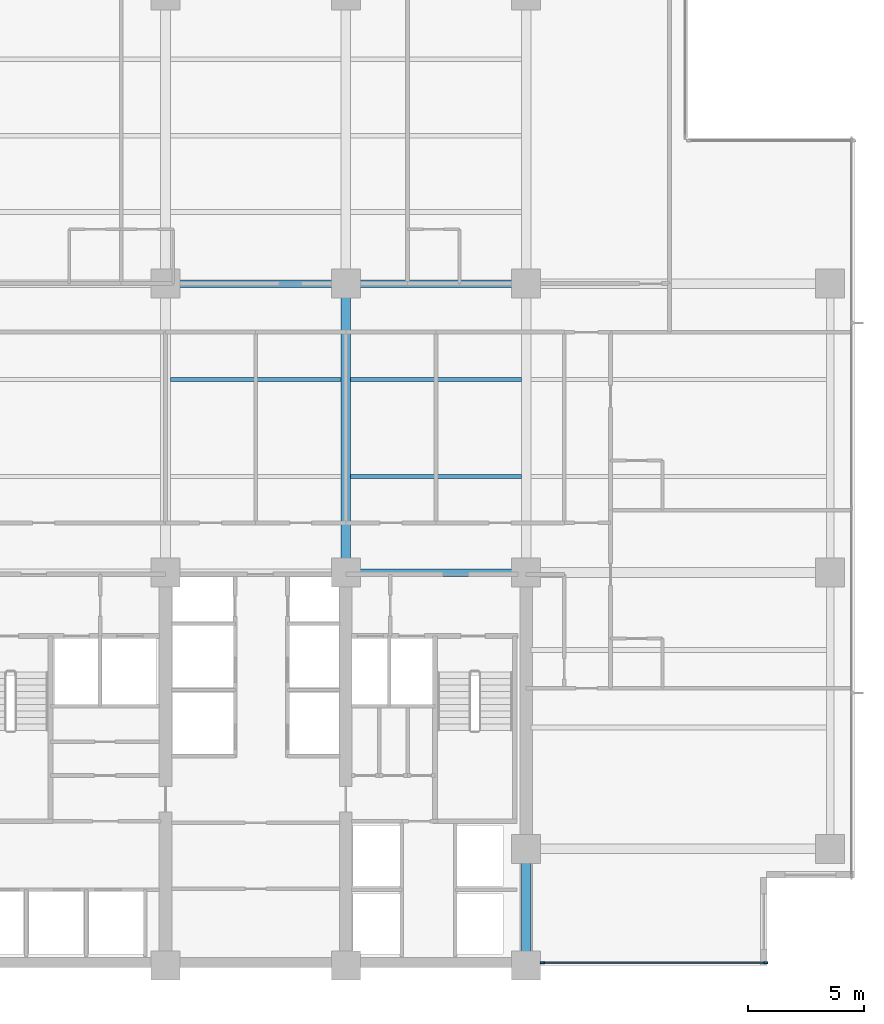
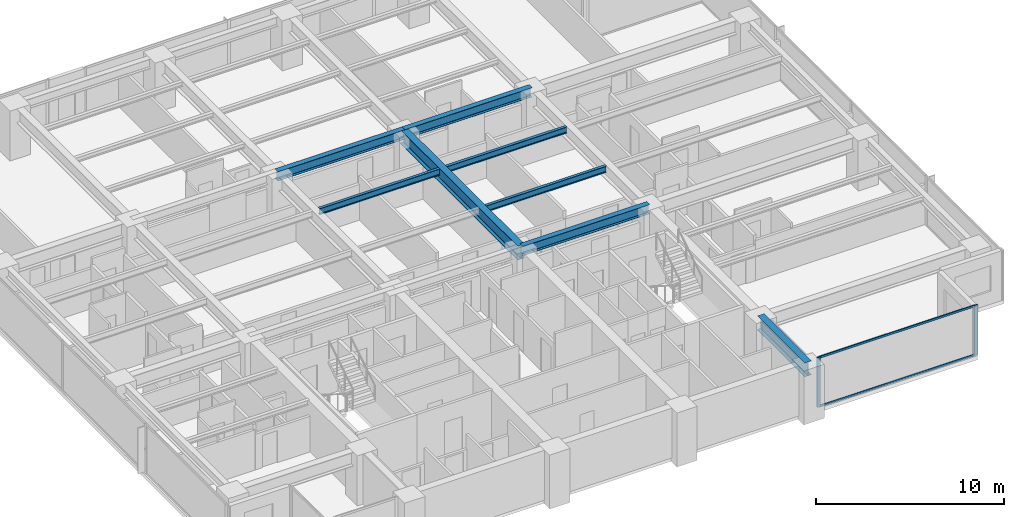
# One storey, part 3 of 17: 8 beams, 4 members, 1 element without a shape of its own.
"""IFC4 building model written with IfcOpenShell, lengths in metres."""

import ifcopenshell
import ifcopenshell.guid

model = None  # the IFC model being written
_history = None  # IfcOwnerHistory: only IFC2X3 demands one
_inside = {}  # id of a spatial element -> (the spatial element, [elements in it])
_under = {}  # id of a project, library or spatial element -> (it, [spatial elements below it])
_declared = {}  # id of a project -> (the project, [libraries it declares])
_typed = {}  # id of a type object -> (the type object, [elements of that type])
_made_of = {}  # id of a material, layer set ... -> (it, [elements and type objects made of it])


def new_model(schema):
    """Start an empty IFC model of exactly this schema.

    Asked for "IFC4X3", IfcOpenShell would pick the latest addendum, in which some entities
    have other attributes; the version numbers below select the first issue.
    IFC2X3 requires an IfcOwnerHistory on every rooted entity: one is made here for all.
    """
    global model, _history
    if schema == "IFC4X3":
        model = ifcopenshell.file(schema_version=(4, 3, 0, 0))
    else:
        model = ifcopenshell.file(schema=schema)
    _inside.clear()
    _under.clear()
    _declared.clear()
    _typed.clear()
    _made_of.clear()
    _history = None
    if model.schema == "IFC2X3":
        org = make("IfcOrganization", Name="unknown")
        user = make(
            "IfcPersonAndOrganization",
            ThePerson=make("IfcPerson", FamilyName="unknown"),
            TheOrganization=org,
        )
        app = make(
            "IfcApplication",
            ApplicationDeveloper=org,
            Version="unknown",
            ApplicationFullName="unknown",
            ApplicationIdentifier="unknown",
        )
        _history = make(
            "IfcOwnerHistory",
            OwningUser=user,
            OwningApplication=app,
            ChangeAction="ADDED",
            CreationDate=0,
        )
    return model


def make(cls, **values):
    """One entity of the class cls with the attributes given. An attribute that is None is left unset."""
    return model.create_entity(
        cls, **{name: value for name, value in values.items() if value is not None}
    )


def rooted(cls, **values):
    """An entity with a GlobalId (a new one), such as an element, a storey or a relation."""
    return make(cls, GlobalId=ifcopenshell.guid.new(), OwnerHistory=_history, **values)


def si_unit(unit_type, name, prefix=None):
    """IfcSIUnit, for example si_unit("LENGTHUNIT", "METRE", prefix="MILLI")."""
    return make("IfcSIUnit", UnitType=unit_type, Prefix=prefix, Name=name)


def assignment(units):
    """IfcUnitAssignment: the units of a project."""
    return None if units is None else make("IfcUnitAssignment", Units=units)


def point(xyz):
    """IfcCartesianPoint."""
    return None if xyz is None else make("IfcCartesianPoint", Coordinates=xyz)


def direction(xyz):
    """IfcDirection."""
    return None if xyz is None else make("IfcDirection", DirectionRatios=xyz)


def frame(location, z_axis=None, x_axis=None):
    """IfcAxis2Placement3D, a coordinate frame: its origin and axes. An axis left out is left unset."""
    return make(
        "IfcAxis2Placement3D",
        Location=point(location),
        Axis=direction(z_axis),
        RefDirection=direction(x_axis),
    )


def frame_2d(location, x_axis=None):
    """IfcAxis2Placement2D, a coordinate frame in the plane: its origin and x axis."""
    return make(
        "IfcAxis2Placement2D", Location=point(location), RefDirection=direction(x_axis)
    )


def origin():
    """The frame at (0, 0, 0) with its axes left unset."""
    return frame((0.0, 0.0, 0.0))


def origin_2d():
    """The frame at (0, 0) in the plane with its x axis left unset."""
    return frame_2d((0.0, 0.0))


def place(relative_to, where):
    """IfcLocalPlacement: puts the frame where relative to a parent placement (None: the world)."""
    return make(
        "IfcLocalPlacement", PlacementRelTo=relative_to, RelativePlacement=where
    )


def context(
    kind, dimensions, precision=None, world=None, true_north=None, identifier=None
):
    """IfcGeometricRepresentationContext, for example the 3D "Model" context."""
    return make(
        "IfcGeometricRepresentationContext",
        ContextIdentifier=identifier,
        ContextType=kind,
        CoordinateSpaceDimension=dimensions,
        Precision=precision,
        WorldCoordinateSystem=world,
        TrueNorth=true_north,
    )


def subcontext(parent, identifier, kind, view, scale=None):
    """IfcGeometricRepresentationSubContext, for example "Body" below "Model"."""
    return make(
        "IfcGeometricRepresentationSubContext",
        ContextIdentifier=identifier,
        ContextType=kind,
        ParentContext=parent,
        TargetScale=scale,
        TargetView=view,
    )


def project(units=None, contexts=None):
    """IfcProject with its units and contexts."""
    return rooted(
        "IfcProject",
        Name="project",
        RepresentationContexts=contexts,
        UnitsInContext=assignment(units),
    )


def spatial(cls, under=None, at=None, **own):
    """A site, building, storey or space (cls), placed at a placement, below another one or the project."""
    s = rooted(cls, ObjectPlacement=at, **own)
    if under is not None:
        _under.setdefault(under.id(), (under, []))[1].append(s)
    return s


def profile(cls, at=None, kind="AREA", **sizes):
    """A parametric profile (cls). Its sizes go by their IFC names, for example OverallWidth=200.0."""
    return make(cls, ProfileType=kind, Position=at, **sizes)


def rectangle(**sizes):
    """IfcRectangleProfileDef."""
    return profile("IfcRectangleProfileDef", **sizes)


def i_section(**sizes):
    """IfcIShapeProfileDef."""
    return profile("IfcIShapeProfileDef", **sizes)


def extrude(swept, where, along, depth):
    """IfcExtrudedAreaSolid: the profile swept, set in the frame where, extruded along a direction by depth."""
    return make(
        "IfcExtrudedAreaSolid",
        SweptArea=swept,
        Position=where,
        ExtrudedDirection=direction(along),
        Depth=depth,
    )


def shape(context_of_items, identifier, shape_type, items):
    """IfcShapeRepresentation: the items that make up one representation, for example the "Body"."""
    return make(
        "IfcShapeRepresentation",
        ContextOfItems=context_of_items,
        RepresentationIdentifier=identifier,
        RepresentationType=shape_type,
        Items=items,
    )


def material(Name=None, Category=None):
    """IfcMaterial."""
    return make("IfcMaterial", Name=Name, Category=Category)


def layer(
    of_material, thickness, ventilated=None, Name=None, Category=None, Priority=None
):
    """IfcMaterialLayer: one layer of a wall or slab, of a material (None: an air gap)."""
    return make(
        "IfcMaterialLayer",
        Material=of_material,
        LayerThickness=thickness,
        IsVentilated=ventilated,
        Name=Name,
        Category=Category,
        Priority=Priority,
    )


def layer_set(layers, Name=None):
    """IfcMaterialLayerSet."""
    return make("IfcMaterialLayerSet", MaterialLayers=layers, LayerSetName=Name)


def material_profile(
    of_material, cross_section, Name=None, Category=None, Priority=None
):
    """IfcMaterialProfile: a cross section and its material."""
    return make(
        "IfcMaterialProfile",
        Name=Name,
        Material=of_material,
        Profile=cross_section,
        Priority=Priority,
        Category=Category,
    )


def profile_set(profiles, Name=None, composite=None):
    """IfcMaterialProfileSet."""
    return make(
        "IfcMaterialProfileSet",
        Name=Name,
        MaterialProfiles=profiles,
        CompositeProfile=composite,
    )


def made_of(thing, what):
    """Note that an element or type object is made of a material, layer set ...; save() writes the relation."""
    if what is not None:
        _made_of.setdefault(what.id(), (what, []))[1].append(thing)
    return thing


def type_object(cls, material=None, **own):
    """A type object (cls), such as IfcWallType, which elements share."""
    return made_of(rooted(cls, **own), material)


def element(
    cls,
    number,
    at=None,
    inside=None,
    cuts=None,
    type_object=None,
    material=None,
    context=None,
    identifier="Body",
    shape_type=None,
    held_by="IfcProductDefinitionShape",
    body=None,
    shapes=None,
    **own,
):
    """One element of the class cls, such as IfcWall. Its Tag is "e" and its number.

    at: its placement. inside: the storey or other place that contains it. cuts: it is an
    opening in that element (IfcRelVoidsElement). A single representation is given by context,
    identifier, shape_type and body (its items); several are given by shapes. held_by: the class
    of the entity that holds the representations. save() writes the other relations.
    """
    e = rooted(cls, Tag="e%d" % number, ObjectPlacement=at, **own)
    if body is not None:
        shapes = [shape(context, identifier, shape_type, body)]
    if shapes is not None:
        e.Representation = make(held_by, Representations=shapes)
    if inside is not None:
        _inside.setdefault(inside.id(), (inside, []))[1].append(e)
    if cuts is not None:
        rooted(
            "IfcRelVoidsElement", RelatingBuildingElement=cuts, RelatedOpeningElement=e
        )
    if type_object is not None:
        _typed.setdefault(type_object.id(), (type_object, []))[1].append(e)
    return made_of(e, material)


def aggregate(whole, parts):
    """IfcRelAggregates: a whole, such as a stair, and the parts it consists of."""
    return rooted("IfcRelAggregates", RelatingObject=whole, RelatedObjects=parts)


def save(model, path):
    """Write the relations noted so far, then the file.

    IfcRelAggregates (storeys below a building ...), IfcRelContainedInSpatialStructure (elements
    in a storey), IfcRelDefinesByType, IfcRelAssociatesMaterial and IfcRelDeclares: one each for
    every whole, place, type object, material and project.
    """
    for whole, parts in _under.values():
        aggregate(whole, parts)
    for where, things in _inside.values():
        rooted(
            "IfcRelContainedInSpatialStructure",
            RelatedElements=things,
            RelatingStructure=where,
        )
    for kind, things in _typed.values():
        rooted("IfcRelDefinesByType", RelatedObjects=things, RelatingType=kind)
    for what, things in _made_of.values():
        rooted("IfcRelAssociatesMaterial", RelatedObjects=things, RelatingMaterial=what)
    for by, libraries in _declared.values():
        rooted("IfcRelDeclares", RelatingContext=by, RelatedDefinitions=libraries)
    model.write(path)


model = new_model("IFC4")

# Units and contexts
model_context = context("Model", 3, precision=1e-05, world=origin(), true_north=direction((0.0, 1.0)))
body_context = subcontext(model_context, "Body", "Model", "MODEL_VIEW")
ifc_project = project(units=[si_unit("LENGTHUNIT", "METRE"), si_unit("AREAUNIT", "SQUARE_METRE"), si_unit("VOLUMEUNIT", "CUBIC_METRE"), si_unit("PLANEANGLEUNIT", "RADIAN"), si_unit("MASSUNIT", "GRAM", prefix="KILO")], contexts=[model_context])

# Site, building, storey
site_placement = place(None, origin())
site = spatial("IfcSite", under=ifc_project, at=site_placement, CompositionType="ELEMENT")
building_placement = place(site_placement, origin())
building = spatial("IfcBuilding", under=site, at=building_placement, Name="Qalmaran Belvedere Hotel", CompositionType="ELEMENT")
storey_placement = place(building_placement, frame((0.0, 0.0, 119.699951171875)))
storey = spatial("IfcBuildingStorey", under=building, at=storey_placement, Name="L30", CompositionType="ELEMENT", Elevation=119.699951171875)

# Beams
ifc_material_1 = material(Name="Steel S355JR", Category="steel")
ifc_material_profile_1 = material_profile(ifc_material_1, i_section(OverallWidth=0.41796875, OverallDepth=0.912109375, WebThickness=0.019287109375, FlangeThickness=0.031982421875, FilletRadius=0.02392578125, at=origin_2d()), Name="W920X342")
ifc_profile_set_1 = profile_set([ifc_material_profile_1], Name="Steel S355JR")
beam_type_1 = type_object("IfcBeamType", Name="BM-PG2-W920X342", PredefinedType="USERDEFINED", material=ifc_profile_set_1)
beam_1_placement = place(storey_placement, frame((37.0, 20.5, 2.783935546875), z_axis=(0.0, 1.0, 0.0), x_axis=(-1.0, 0.0, 0.0)))
element("IfcBeam", 1, at=beam_1_placement, inside=storey, type_object=beam_type_1, Name="L30 Mid-Plate N-S Girder 18", ObjectType="GIRDER", PredefinedType="USERDEFINED", context=body_context, shape_type="SweptSolid", body=[
    extrude(i_section(OverallWidth=0.41796875, OverallDepth=0.912109375, WebThickness=0.019287109375, FlangeThickness=0.031982421875, FilletRadius=0.02392578125, at=origin_2d()), origin(), (0.0, 0.0, 1.0), 12.5),
])
beam_2_placement = place(storey_placement, frame((44.800048828125, 3.5, 2.783935546875), z_axis=(0.0, 1.0, 0.0), x_axis=(-1.0, 0.0, 0.0)))
element("IfcBeam", 2, at=beam_2_placement, inside=storey, type_object=beam_type_1, Name="L30 East Core Edge Girder A", ObjectType="GIRDER", PredefinedType="USERDEFINED", context=body_context, shape_type="SweptSolid", body=[
    extrude(i_section(OverallWidth=0.41796875, OverallDepth=0.912109375, WebThickness=0.019287109375, FlangeThickness=0.031982421875, FilletRadius=0.02392578125, at=origin_2d()), origin(), (0.0, 0.0, 1.0), 5.050048828125),
])
ifc_material_profile_2 = material_profile(ifc_material_1, i_section(OverallWidth=0.177978515625, OverallDepth=0.406982421875, WebThickness=0.0078125, FlangeThickness=0.0126953125, FilletRadius=0.014892578125, at=origin_2d()), Name="W410X60")
ifc_profile_set_2 = profile_set([ifc_material_profile_2], Name="Steel S355JR")
beam_type_2 = type_object("IfcBeamType", Name="BM-SB2-W410X60", PredefinedType="BEAM", material=ifc_profile_set_2)
for number, where, z_axis, x_axis, name in (
    (3, (37.20703125, 24.64990234375, 3.03662109375), (1.0, 0.0, 0.0), (0.0, 1.0, 0.0), "L30 Secondary Floor Beam 031"),
    (4, (29.406982421875, 28.85009765625, 3.03662109375), (1.0, 0.0, 0.0), (0.0, 1.0, 0.0), "L30 Secondary Floor Beam 035"),
    (5, (37.20703125, 28.85009765625, 3.03662109375), (1.0, 0.0, 0.0), (0.0, 1.0, 0.0), "L30 Secondary Floor Beam 036"),
):
    element("IfcBeam", number, at=place(storey_placement, frame(where, z_axis=z_axis, x_axis=x_axis)), inside=storey, type_object=beam_type_2, Name=name, PredefinedType="BEAM", context=body_context, shape_type="SweptSolid", body=[
        extrude(i_section(OverallWidth=0.177978515625, OverallDepth=0.406982421875, WebThickness=0.0078125, FlangeThickness=0.0126953125, FilletRadius=0.014892578125, at=origin_2d()), origin(), (0.0, 0.0, 1.0), 7.385986328125),
    ])
ifc_material_profile_3 = material_profile(ifc_material_1, i_section(OverallWidth=0.323974609375, OverallDepth=0.611083984375, WebThickness=0.0126953125, FlangeThickness=0.01904296875, FilletRadius=0.02001953125, at=origin_2d()), Name="W610X155")
ifc_profile_set_3 = profile_set([ifc_material_profile_3], Name="Steel S355JR")
beam_type_3 = type_object("IfcBeamType", Name="BM-Z2-W610X155", PredefinedType="USERDEFINED", material=ifc_profile_set_3)
for number, where, z_axis, x_axis, name in (
    (6, (37.0, 20.5, 2.9345703125), (1.0, 0.0, 0.0), (0.0, 1.0, 0.0), "L30 Interior E-W Girder 10"),
    (7, (29.199951171875, 33.0, 2.9345703125), (1.0, 0.0, 0.0), (0.0, 1.0, 0.0), "L30 Interior E-W Girder 12"),
    (8, (37.0, 33.0, 2.9345703125), (1.0, 0.0, 0.0), (0.0, 1.0, 0.0), "L30 Interior E-W Girder 13"),
):
    element("IfcBeam", number, at=place(storey_placement, frame(where, z_axis=z_axis, x_axis=x_axis)), inside=storey, type_object=beam_type_3, Name=name, ObjectType="GIRDER", PredefinedType="USERDEFINED", context=body_context, shape_type="SweptSolid", body=[
        extrude(i_section(OverallWidth=0.323974609375, OverallDepth=0.611083984375, WebThickness=0.0126953125, FlangeThickness=0.01904296875, FilletRadius=0.02001953125, at=origin_2d()), origin(), (0.0, 0.0, 1.0), 7.800048828125),
    ])

# Curtain wall, members
ifc_material_2 = material(Name="Anodised Bronze Aluminium", Category="aluminium")
ifc_layer = layer(ifc_material_2, 0.199951171875, Name="Anodised Bronze Aluminium")
ifc_layer_set = layer_set([ifc_layer], Name="Anodised Bronze Aluminium")
curtain_wall_type = type_object("IfcCurtainWallType", Name="CW3-TOWER-LOWMID", PredefinedType="NOTDEFINED", material=ifc_layer_set)
curtain_wall_placement = place(storey_placement, origin())
curtain_wall = element("IfcCurtainWall", 9, at=curtain_wall_placement, inside=storey, type_object=curtain_wall_type, Name="L30 Curtain Wall CW3", PredefinedType="NOTDEFINED")
ifc_material_profile_4 = material_profile(ifc_material_2, rectangle(XDim=0.070068359375, YDim=0.18994140625, at=origin_2d()), Name="CWM70X190")
ifc_profile_set_4 = profile_set([ifc_material_profile_4], Name="Anodised Bronze Aluminium")
member_type_1 = type_object("IfcMemberType", Name="CWM-70X190", PredefinedType="MULLION", material=ifc_profile_set_4)
member_1_placement = place(storey_placement, frame((45.5, 3.6201171875, 0.0), z_axis=(0.0, 0.0, 1.0), x_axis=(0.0, 1.0, 0.0)))
member_1 = element("IfcMember", 10, at=member_1_placement, type_object=member_type_1, Name="CW3 mullion 1", PredefinedType="MULLION", context=body_context, shape_type="SweptSolid", body=[
    extrude(rectangle(XDim=0.070068359375, YDim=0.18994140625, at=origin_2d()), origin(), (0.0, 0.0, 1.0), 3.239990234375),
])
member_2_placement = place(storey_placement, frame((55.1650390625, 3.6201171875, 0.0), z_axis=(0.0, 0.0, 1.0), x_axis=(0.0, 1.0, 0.0)))
member_2 = element("IfcMember", 11, at=member_2_placement, type_object=member_type_1, Name="CW3 mullion 2", PredefinedType="MULLION", context=body_context, shape_type="SweptSolid", body=[
    extrude(rectangle(XDim=0.070068359375, YDim=0.18994140625, at=origin_2d()), origin(), (0.0, 0.0, 1.0), 3.239990234375),
])
ifc_material_profile_5 = material_profile(ifc_material_2, rectangle(XDim=0.06494140625, YDim=0.1298828125, at=origin_2d()), Name="CWT65X130")
ifc_profile_set_5 = profile_set([ifc_material_profile_5], Name="Anodised Bronze Aluminium")
member_type_2 = type_object("IfcMemberType", Name="CWT-65X130", PredefinedType="USERDEFINED", material=ifc_profile_set_5)
member_3_placement = place(storey_placement, frame((45.534912109375, 3.6201171875, 0.032470703125), z_axis=(1.0, 0.0, 0.0), x_axis=(0.0, 1.0, 0.0)))
member_3 = element("IfcMember", 12, at=member_3_placement, type_object=member_type_2, Name="CW3 transom 1.1", ObjectType="TRANSOM", PredefinedType="USERDEFINED", context=body_context, shape_type="SweptSolid", body=[
    extrude(rectangle(XDim=0.06494140625, YDim=0.1298828125, at=origin_2d()), origin(), (0.0, 0.0, 1.0), 9.594970703125),
])
member_4_placement = place(storey_placement, frame((45.534912109375, 3.6201171875, 3.20751953125), z_axis=(1.0, 0.0, 0.0), x_axis=(0.0, 1.0, 0.0)))
member_4 = element("IfcMember", 13, at=member_4_placement, type_object=member_type_2, Name="CW3 transom 1.2", ObjectType="TRANSOM", PredefinedType="USERDEFINED", context=body_context, shape_type="SweptSolid", body=[
    extrude(rectangle(XDim=0.06494140625, YDim=0.1298828125, at=origin_2d()), origin(), (0.0, 0.0, 1.0), 9.594970703125),
])
aggregate(curtain_wall, [member_1, member_2, member_3, member_4])

save(model, "model.ifc")
